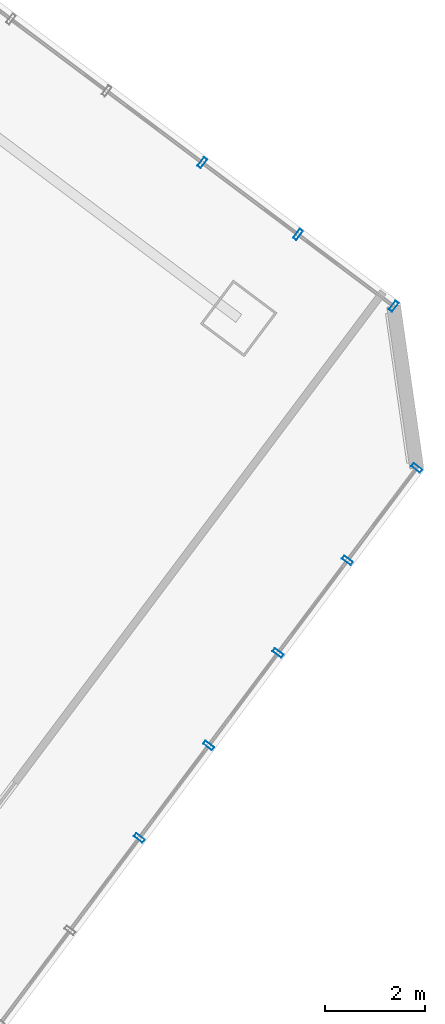
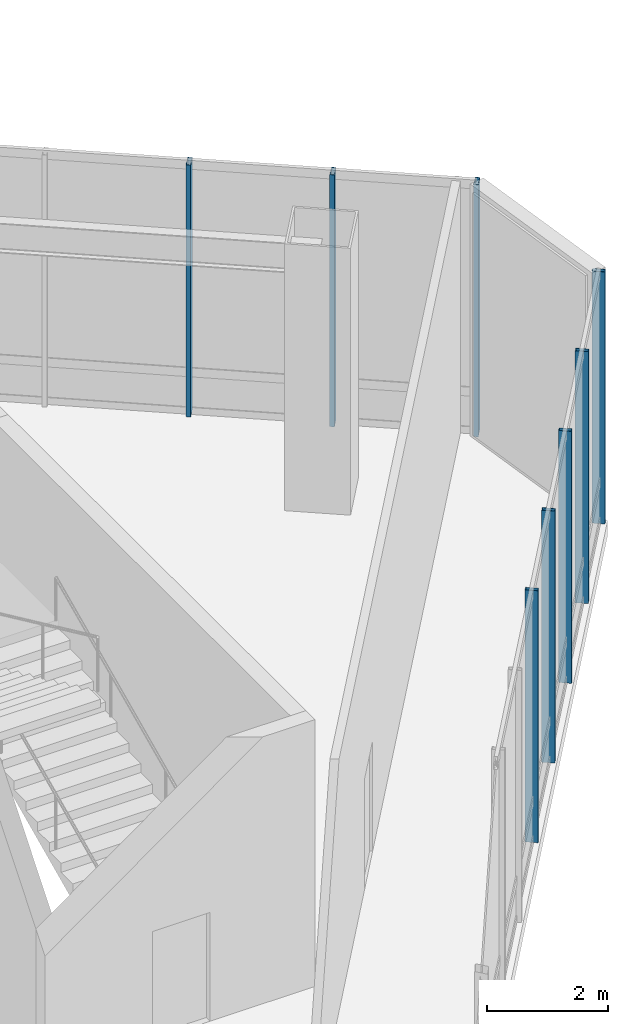
# One storey, part 23 of 35: 8 members, 2 elements without a shape of their own.
"""IFC4 building model written with IfcOpenShell, lengths in metres."""

import ifcopenshell
import ifcopenshell.guid

model = None  # the IFC model being written
_history = None  # IfcOwnerHistory: only IFC2X3 demands one
_inside = {}  # id of a spatial element -> (the spatial element, [elements in it])
_under = {}  # id of a project, library or spatial element -> (it, [spatial elements below it])
_declared = {}  # id of a project -> (the project, [libraries it declares])
_typed = {}  # id of a type object -> (the type object, [elements of that type])
_made_of = {}  # id of a material, layer set ... -> (it, [elements and type objects made of it])


def new_model(schema):
    """Start an empty IFC model of exactly this schema.

    Asked for "IFC4X3", IfcOpenShell would pick the latest addendum, in which some entities
    have other attributes; the version numbers below select the first issue.
    IFC2X3 requires an IfcOwnerHistory on every rooted entity: one is made here for all.
    """
    global model, _history
    if schema == "IFC4X3":
        model = ifcopenshell.file(schema_version=(4, 3, 0, 0))
    else:
        model = ifcopenshell.file(schema=schema)
    _inside.clear()
    _under.clear()
    _declared.clear()
    _typed.clear()
    _made_of.clear()
    _history = None
    if model.schema == "IFC2X3":
        org = make("IfcOrganization", Name="unknown")
        user = make(
            "IfcPersonAndOrganization",
            ThePerson=make("IfcPerson", FamilyName="unknown"),
            TheOrganization=org,
        )
        app = make(
            "IfcApplication",
            ApplicationDeveloper=org,
            Version="unknown",
            ApplicationFullName="unknown",
            ApplicationIdentifier="unknown",
        )
        _history = make(
            "IfcOwnerHistory",
            OwningUser=user,
            OwningApplication=app,
            ChangeAction="ADDED",
            CreationDate=0,
        )
    return model


def make(cls, **values):
    """One entity of the class cls with the attributes given. An attribute that is None is left unset."""
    return model.create_entity(
        cls, **{name: value for name, value in values.items() if value is not None}
    )


def rooted(cls, **values):
    """An entity with a GlobalId (a new one), such as an element, a storey or a relation."""
    return make(cls, GlobalId=ifcopenshell.guid.new(), OwnerHistory=_history, **values)


def si_unit(unit_type, name, prefix=None):
    """IfcSIUnit, for example si_unit("LENGTHUNIT", "METRE", prefix="MILLI")."""
    return make("IfcSIUnit", UnitType=unit_type, Prefix=prefix, Name=name)


def assignment(units):
    """IfcUnitAssignment: the units of a project."""
    return None if units is None else make("IfcUnitAssignment", Units=units)


def point(xyz):
    """IfcCartesianPoint."""
    return None if xyz is None else make("IfcCartesianPoint", Coordinates=xyz)


def direction(xyz):
    """IfcDirection."""
    return None if xyz is None else make("IfcDirection", DirectionRatios=xyz)


def frame(location, z_axis=None, x_axis=None):
    """IfcAxis2Placement3D, a coordinate frame: its origin and axes. An axis left out is left unset."""
    return make(
        "IfcAxis2Placement3D",
        Location=point(location),
        Axis=direction(z_axis),
        RefDirection=direction(x_axis),
    )


def frame_2d(location, x_axis=None):
    """IfcAxis2Placement2D, a coordinate frame in the plane: its origin and x axis."""
    return make(
        "IfcAxis2Placement2D", Location=point(location), RefDirection=direction(x_axis)
    )


def origin():
    """The frame at (0, 0, 0) with its axes left unset."""
    return frame((0.0, 0.0, 0.0))


def origin_2d():
    """The frame at (0, 0) in the plane with its x axis left unset."""
    return frame_2d((0.0, 0.0))


def place(relative_to, where):
    """IfcLocalPlacement: puts the frame where relative to a parent placement (None: the world)."""
    return make(
        "IfcLocalPlacement", PlacementRelTo=relative_to, RelativePlacement=where
    )


def context(
    kind, dimensions, precision=None, world=None, true_north=None, identifier=None
):
    """IfcGeometricRepresentationContext, for example the 3D "Model" context."""
    return make(
        "IfcGeometricRepresentationContext",
        ContextIdentifier=identifier,
        ContextType=kind,
        CoordinateSpaceDimension=dimensions,
        Precision=precision,
        WorldCoordinateSystem=world,
        TrueNorth=true_north,
    )


def subcontext(parent, identifier, kind, view, scale=None):
    """IfcGeometricRepresentationSubContext, for example "Body" below "Model"."""
    return make(
        "IfcGeometricRepresentationSubContext",
        ContextIdentifier=identifier,
        ContextType=kind,
        ParentContext=parent,
        TargetScale=scale,
        TargetView=view,
    )


def project(units=None, contexts=None):
    """IfcProject with its units and contexts."""
    return rooted(
        "IfcProject",
        Name="project",
        RepresentationContexts=contexts,
        UnitsInContext=assignment(units),
    )


def spatial(cls, under=None, at=None, **own):
    """A site, building, storey or space (cls), placed at a placement, below another one or the project."""
    s = rooted(cls, ObjectPlacement=at, **own)
    if under is not None:
        _under.setdefault(under.id(), (under, []))[1].append(s)
    return s


def profile(cls, at=None, kind="AREA", **sizes):
    """A parametric profile (cls). Its sizes go by their IFC names, for example OverallWidth=200.0."""
    return make(cls, ProfileType=kind, Position=at, **sizes)


def hollow_rectangle(**sizes):
    """IfcRectangleHollowProfileDef."""
    return profile("IfcRectangleHollowProfileDef", **sizes)


def extrude(swept, where, along, depth):
    """IfcExtrudedAreaSolid: the profile swept, set in the frame where, extruded along a direction by depth."""
    return make(
        "IfcExtrudedAreaSolid",
        SweptArea=swept,
        Position=where,
        ExtrudedDirection=direction(along),
        Depth=depth,
    )


def shape(context_of_items, identifier, shape_type, items):
    """IfcShapeRepresentation: the items that make up one representation, for example the "Body"."""
    return make(
        "IfcShapeRepresentation",
        ContextOfItems=context_of_items,
        RepresentationIdentifier=identifier,
        RepresentationType=shape_type,
        Items=items,
    )


def material(Name=None, Category=None):
    """IfcMaterial."""
    return make("IfcMaterial", Name=Name, Category=Category)


def layer(
    of_material, thickness, ventilated=None, Name=None, Category=None, Priority=None
):
    """IfcMaterialLayer: one layer of a wall or slab, of a material (None: an air gap)."""
    return make(
        "IfcMaterialLayer",
        Material=of_material,
        LayerThickness=thickness,
        IsVentilated=ventilated,
        Name=Name,
        Category=Category,
        Priority=Priority,
    )


def layer_set(layers, Name=None):
    """IfcMaterialLayerSet."""
    return make("IfcMaterialLayerSet", MaterialLayers=layers, LayerSetName=Name)


def material_profile(
    of_material, cross_section, Name=None, Category=None, Priority=None
):
    """IfcMaterialProfile: a cross section and its material."""
    return make(
        "IfcMaterialProfile",
        Name=Name,
        Material=of_material,
        Profile=cross_section,
        Priority=Priority,
        Category=Category,
    )


def profile_set(profiles, Name=None, composite=None):
    """IfcMaterialProfileSet."""
    return make(
        "IfcMaterialProfileSet",
        Name=Name,
        MaterialProfiles=profiles,
        CompositeProfile=composite,
    )


def made_of(thing, what):
    """Note that an element or type object is made of a material, layer set ...; save() writes the relation."""
    if what is not None:
        _made_of.setdefault(what.id(), (what, []))[1].append(thing)
    return thing


def type_object(cls, material=None, **own):
    """A type object (cls), such as IfcWallType, which elements share."""
    return made_of(rooted(cls, **own), material)


def element(
    cls,
    number,
    at=None,
    inside=None,
    cuts=None,
    type_object=None,
    material=None,
    context=None,
    identifier="Body",
    shape_type=None,
    held_by="IfcProductDefinitionShape",
    body=None,
    shapes=None,
    **own,
):
    """One element of the class cls, such as IfcWall. Its Tag is "e" and its number.

    at: its placement. inside: the storey or other place that contains it. cuts: it is an
    opening in that element (IfcRelVoidsElement). A single representation is given by context,
    identifier, shape_type and body (its items); several are given by shapes. held_by: the class
    of the entity that holds the representations. save() writes the other relations.
    """
    e = rooted(cls, Tag="e%d" % number, ObjectPlacement=at, **own)
    if body is not None:
        shapes = [shape(context, identifier, shape_type, body)]
    if shapes is not None:
        e.Representation = make(held_by, Representations=shapes)
    if inside is not None:
        _inside.setdefault(inside.id(), (inside, []))[1].append(e)
    if cuts is not None:
        rooted(
            "IfcRelVoidsElement", RelatingBuildingElement=cuts, RelatedOpeningElement=e
        )
    if type_object is not None:
        _typed.setdefault(type_object.id(), (type_object, []))[1].append(e)
    return made_of(e, material)


def aggregate(whole, parts):
    """IfcRelAggregates: a whole, such as a stair, and the parts it consists of."""
    return rooted("IfcRelAggregates", RelatingObject=whole, RelatedObjects=parts)


def save(model, path):
    """Write the relations noted so far, then the file.

    IfcRelAggregates (storeys below a building ...), IfcRelContainedInSpatialStructure (elements
    in a storey), IfcRelDefinesByType, IfcRelAssociatesMaterial and IfcRelDeclares: one each for
    every whole, place, type object, material and project.
    """
    for whole, parts in _under.values():
        aggregate(whole, parts)
    for where, things in _inside.values():
        rooted(
            "IfcRelContainedInSpatialStructure",
            RelatedElements=things,
            RelatingStructure=where,
        )
    for kind, things in _typed.values():
        rooted("IfcRelDefinesByType", RelatedObjects=things, RelatingType=kind)
    for what, things in _made_of.values():
        rooted("IfcRelAssociatesMaterial", RelatedObjects=things, RelatingMaterial=what)
    for by, libraries in _declared.values():
        rooted("IfcRelDeclares", RelatingContext=by, RelatedDefinitions=libraries)
    model.write(path)


model = new_model("IFC4")

# Units and contexts
model_context = context("Model", 3, precision=1e-05, world=origin(), true_north=direction((0.0, 1.0)))
body_context = subcontext(model_context, "Body", "Model", "MODEL_VIEW")
ifc_project = project(units=[si_unit("LENGTHUNIT", "METRE"), si_unit("AREAUNIT", "SQUARE_METRE"), si_unit("VOLUMEUNIT", "CUBIC_METRE"), si_unit("PLANEANGLEUNIT", "RADIAN"), si_unit("MASSUNIT", "GRAM", prefix="KILO")], contexts=[model_context])

# Site, building, storey
site_placement = place(None, origin())
site = spatial("IfcSite", under=ifc_project, at=site_placement, CompositionType="ELEMENT")
building_placement = place(site_placement, origin())
building = spatial("IfcBuilding", under=site, at=building_placement, Name="Hatsunagi Terrace Concourse", CompositionType="ELEMENT")
storey_placement = place(building_placement, frame((0.0, 0.0, 16.199951171875)))
storey = spatial("IfcBuildingStorey", under=building, at=storey_placement, Name="L04", CompositionType="ELEMENT", Elevation=16.199951171875)

# Curtain wall, members
ifc_material_1 = material(Name="Anodised Aluminium Alloy 6063-T5", Category="aluminium")
ifc_layer = layer(ifc_material_1, 0.199951171875)
ifc_layer_set = layer_set([ifc_layer], Name="PodiumStorefront_CW01")
curtain_wall_type = type_object("IfcCurtainWallType", Name="PodiumStorefront_CW01", PredefinedType="NOTDEFINED", material=ifc_layer_set)
curtain_wall_1_placement = place(storey_placement, origin())
curtain_wall_1 = element("IfcCurtainWall", 1, at=curtain_wall_1_placement, inside=storey, type_object=curtain_wall_type, Name="Unitised Curtain Wall CW-01 CW-L04-01", PredefinedType="NOTDEFINED")
ifc_material_2 = material(Name="Anodised Aluminium Alloy 6063-T5", Category="aluminium")
ifc_material_profile = material_profile(ifc_material_2, hollow_rectangle(XDim=0.080078125, YDim=0.219970703125, WallThickness=0.0048828125, at=origin_2d()), Name="ALU-MUL-220x80x5")
ifc_profile_set = profile_set([ifc_material_profile], Name="Anodised Aluminium Alloy 6063-T5")
member_type = type_object("IfcMemberType", Name="CurtainWallMullion_Heavy_220x80", PredefinedType="MULLION", material=ifc_profile_set)
member_1_placement = place(storey_placement, frame((65.988037109375, 24.884033203125, 0.0), z_axis=(0.0, 0.0, 1.0), x_axis=(0.800007305671, -0.599990258982, 0.0)))
member_1 = element("IfcMember", 2, at=member_1_placement, type_object=member_type, Name="Curtain Wall Mullion MUL-01", PredefinedType="MULLION", context=body_context, shape_type="SweptSolid", body=[
    extrude(hollow_rectangle(XDim=0.080078125, YDim=0.219970703125, WallThickness=0.0048828125, at=origin_2d()), origin(), (0.0, 0.0, 1.0), 5.10009765625),
])
member_2_placement = place(storey_placement, frame((67.908935546875, 23.444091796875, 0.0), z_axis=(0.0, 0.0, 1.0), x_axis=(0.800007305671, -0.599990258982, 0.0)))
member_2 = element("IfcMember", 3, at=member_2_placement, type_object=member_type, Name="Curtain Wall Mullion MUL-01", PredefinedType="MULLION", context=body_context, shape_type="SweptSolid", body=[
    extrude(hollow_rectangle(XDim=0.080078125, YDim=0.219970703125, WallThickness=0.0048828125, at=origin_2d()), origin(), (0.0, 0.0, 1.0), 5.10009765625),
])
member_3_placement = place(storey_placement, frame((69.830078125, 22.0029296875, 0.0), z_axis=(0.0, 0.0, 1.0), x_axis=(0.800007305671, -0.599990258982, 0.0)))
member_3 = element("IfcMember", 4, at=member_3_placement, type_object=member_type, Name="Curtain Wall Mullion MUL-01", PredefinedType="MULLION", context=body_context, shape_type="SweptSolid", body=[
    extrude(hollow_rectangle(XDim=0.080078125, YDim=0.219970703125, WallThickness=0.0048828125, at=origin_2d()), origin(), (0.0, 0.0, 1.0), 5.10009765625),
])
aggregate(curtain_wall_1, [member_1, member_2, member_3])

curtain_wall_2_placement = place(storey_placement, origin())
curtain_wall_2 = element("IfcCurtainWall", 5, at=curtain_wall_2_placement, inside=storey, type_object=curtain_wall_type, Name="Unitised Curtain Wall CW-01 CW-L04-03", PredefinedType="NOTDEFINED")
member_4_placement = place(storey_placement, frame((70.29296875, 18.758056640625, 0.0), z_axis=(0.0, 0.0, 1.0), x_axis=(-0.599969314634, -0.800023013105, 0.0)))
member_4 = element("IfcMember", 6, at=member_4_placement, type_object=member_type, Name="Curtain Wall Mullion MUL-01", PredefinedType="MULLION", context=body_context, shape_type="SweptSolid", body=[
    extrude(hollow_rectangle(XDim=0.080078125, YDim=0.219970703125, WallThickness=0.0048828125, at=origin_2d()), origin(), (0.0, 0.0, 1.0), 5.10009765625),
])
member_5_placement = place(storey_placement, frame((68.90087890625, 16.902099609375, 0.0), z_axis=(0.0, 0.0, 1.0), x_axis=(-0.599969314634, -0.800023013105, 0.0)))
member_5 = element("IfcMember", 7, at=member_5_placement, type_object=member_type, Name="Curtain Wall Mullion MUL-01", PredefinedType="MULLION", context=body_context, shape_type="SweptSolid", body=[
    extrude(hollow_rectangle(XDim=0.080078125, YDim=0.219970703125, WallThickness=0.0048828125, at=origin_2d()), origin(), (0.0, 0.0, 1.0), 5.10009765625),
])
member_6_placement = place(storey_placement, frame((67.509033203125, 15.044921875, 0.0), z_axis=(0.0, 0.0, 1.0), x_axis=(-0.599969314634, -0.800023013105, 0.0)))
member_6 = element("IfcMember", 8, at=member_6_placement, type_object=member_type, Name="Curtain Wall Mullion MUL-01", PredefinedType="MULLION", context=body_context, shape_type="SweptSolid", body=[
    extrude(hollow_rectangle(XDim=0.080078125, YDim=0.219970703125, WallThickness=0.0048828125, at=origin_2d()), origin(), (0.0, 0.0, 1.0), 5.10009765625),
])
member_7_placement = place(storey_placement, frame((66.115966796875, 13.18896484375, 0.0), z_axis=(0.0, 0.0, 1.0), x_axis=(-0.599969314634, -0.800023013105, 0.0)))
member_7 = element("IfcMember", 9, at=member_7_placement, type_object=member_type, Name="Curtain Wall Mullion MUL-01", PredefinedType="MULLION", context=body_context, shape_type="SweptSolid", body=[
    extrude(hollow_rectangle(XDim=0.080078125, YDim=0.219970703125, WallThickness=0.0048828125, at=origin_2d()), origin(), (0.0, 0.0, 1.0), 5.10009765625),
])
member_8_placement = place(storey_placement, frame((64.72412109375, 11.33203125, 0.0), z_axis=(0.0, 0.0, 1.0), x_axis=(-0.599969314634, -0.800023013105, 0.0)))
member_8 = element("IfcMember", 10, at=member_8_placement, type_object=member_type, Name="Curtain Wall Mullion MUL-01", PredefinedType="MULLION", context=body_context, shape_type="SweptSolid", body=[
    extrude(hollow_rectangle(XDim=0.080078125, YDim=0.219970703125, WallThickness=0.0048828125, at=origin_2d()), origin(), (0.0, 0.0, 1.0), 5.10009765625),
])
aggregate(curtain_wall_2, [member_4, member_5, member_6, member_7, member_8])

save(model, "model.ifc")
